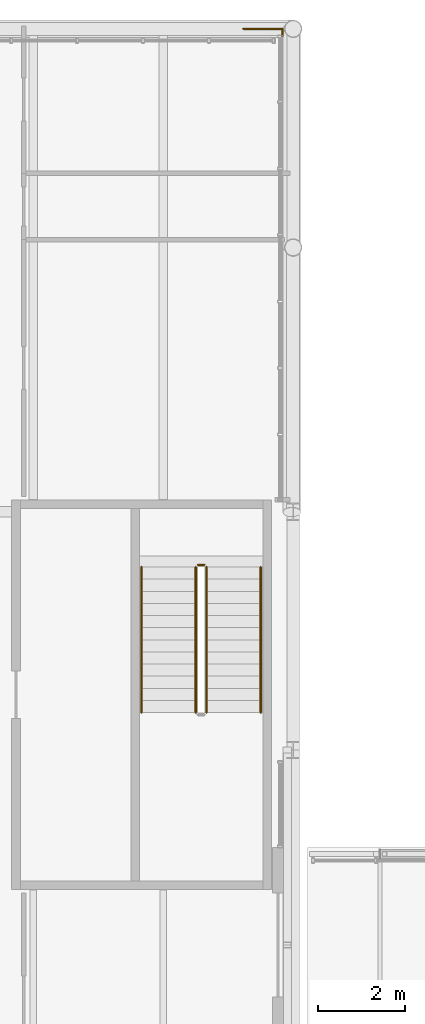
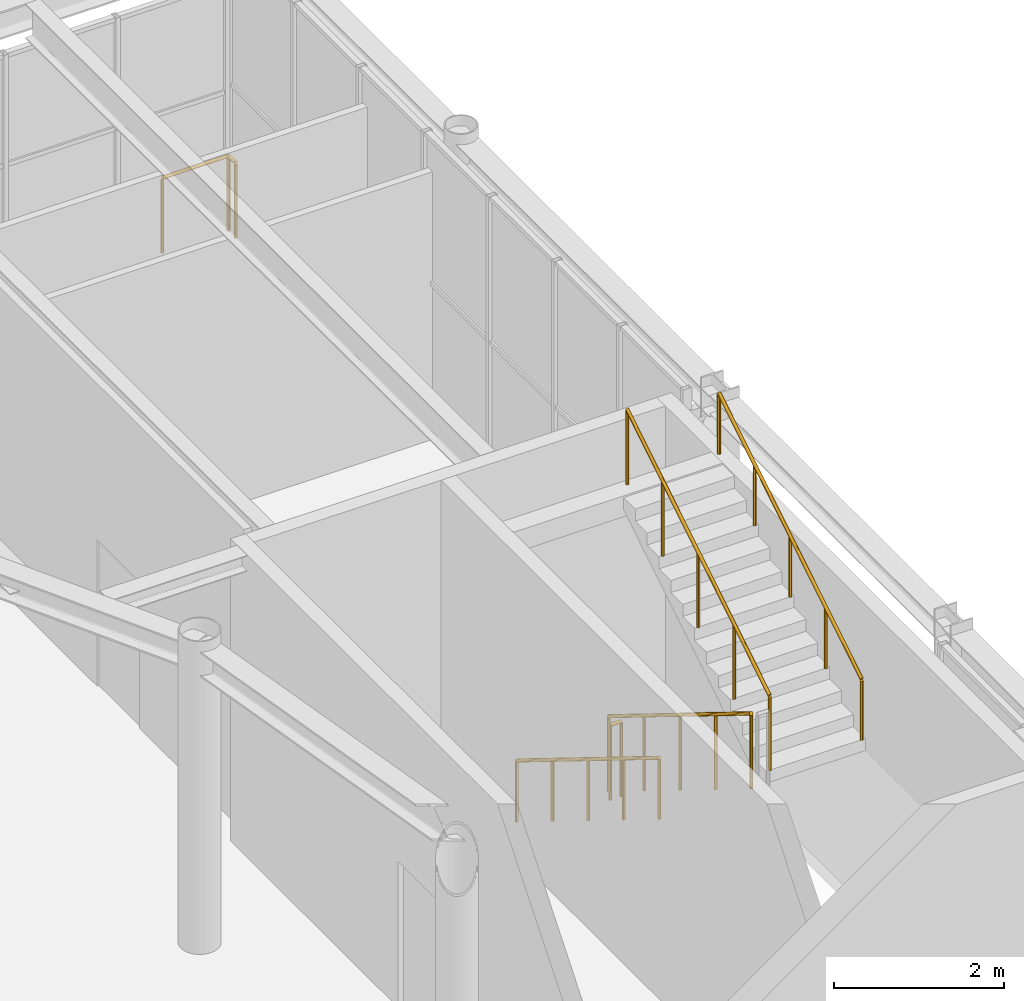
# One storey, part 143 of 149: 6 railings.
"""IFC4 building model written with IfcOpenShell, lengths in metres."""

import ifcopenshell
import ifcopenshell.guid

model = None  # the IFC model being written
_history = None  # IfcOwnerHistory: only IFC2X3 demands one
_inside = {}  # id of a spatial element -> (the spatial element, [elements in it])
_under = {}  # id of a project, library or spatial element -> (it, [spatial elements below it])
_declared = {}  # id of a project -> (the project, [libraries it declares])
_typed = {}  # id of a type object -> (the type object, [elements of that type])
_made_of = {}  # id of a material, layer set ... -> (it, [elements and type objects made of it])


def new_model(schema):
    """Start an empty IFC model of exactly this schema.

    Asked for "IFC4X3", IfcOpenShell would pick the latest addendum, in which some entities
    have other attributes; the version numbers below select the first issue.
    IFC2X3 requires an IfcOwnerHistory on every rooted entity: one is made here for all.
    """
    global model, _history
    if schema == "IFC4X3":
        model = ifcopenshell.file(schema_version=(4, 3, 0, 0))
    else:
        model = ifcopenshell.file(schema=schema)
    _inside.clear()
    _under.clear()
    _declared.clear()
    _typed.clear()
    _made_of.clear()
    _history = None
    if model.schema == "IFC2X3":
        org = make("IfcOrganization", Name="unknown")
        user = make(
            "IfcPersonAndOrganization",
            ThePerson=make("IfcPerson", FamilyName="unknown"),
            TheOrganization=org,
        )
        app = make(
            "IfcApplication",
            ApplicationDeveloper=org,
            Version="unknown",
            ApplicationFullName="unknown",
            ApplicationIdentifier="unknown",
        )
        _history = make(
            "IfcOwnerHistory",
            OwningUser=user,
            OwningApplication=app,
            ChangeAction="ADDED",
            CreationDate=0,
        )
    return model


def make(cls, **values):
    """One entity of the class cls with the attributes given. An attribute that is None is left unset."""
    return model.create_entity(
        cls, **{name: value for name, value in values.items() if value is not None}
    )


def rooted(cls, **values):
    """An entity with a GlobalId (a new one), such as an element, a storey or a relation."""
    return make(cls, GlobalId=ifcopenshell.guid.new(), OwnerHistory=_history, **values)


def si_unit(unit_type, name, prefix=None):
    """IfcSIUnit, for example si_unit("LENGTHUNIT", "METRE", prefix="MILLI")."""
    return make("IfcSIUnit", UnitType=unit_type, Prefix=prefix, Name=name)


def assignment(units):
    """IfcUnitAssignment: the units of a project."""
    return None if units is None else make("IfcUnitAssignment", Units=units)


def point(xyz):
    """IfcCartesianPoint."""
    return None if xyz is None else make("IfcCartesianPoint", Coordinates=xyz)


def direction(xyz):
    """IfcDirection."""
    return None if xyz is None else make("IfcDirection", DirectionRatios=xyz)


def frame(location, z_axis=None, x_axis=None):
    """IfcAxis2Placement3D, a coordinate frame: its origin and axes. An axis left out is left unset."""
    return make(
        "IfcAxis2Placement3D",
        Location=point(location),
        Axis=direction(z_axis),
        RefDirection=direction(x_axis),
    )


def frame_2d(location, x_axis=None):
    """IfcAxis2Placement2D, a coordinate frame in the plane: its origin and x axis."""
    return make(
        "IfcAxis2Placement2D", Location=point(location), RefDirection=direction(x_axis)
    )


def origin():
    """The frame at (0, 0, 0) with its axes left unset."""
    return frame((0.0, 0.0, 0.0))


def origin_2d():
    """The frame at (0, 0) in the plane with its x axis left unset."""
    return frame_2d((0.0, 0.0))


def place(relative_to, where):
    """IfcLocalPlacement: puts the frame where relative to a parent placement (None: the world)."""
    return make(
        "IfcLocalPlacement", PlacementRelTo=relative_to, RelativePlacement=where
    )


def context(
    kind, dimensions, precision=None, world=None, true_north=None, identifier=None
):
    """IfcGeometricRepresentationContext, for example the 3D "Model" context."""
    return make(
        "IfcGeometricRepresentationContext",
        ContextIdentifier=identifier,
        ContextType=kind,
        CoordinateSpaceDimension=dimensions,
        Precision=precision,
        WorldCoordinateSystem=world,
        TrueNorth=true_north,
    )


def subcontext(parent, identifier, kind, view, scale=None):
    """IfcGeometricRepresentationSubContext, for example "Body" below "Model"."""
    return make(
        "IfcGeometricRepresentationSubContext",
        ContextIdentifier=identifier,
        ContextType=kind,
        ParentContext=parent,
        TargetScale=scale,
        TargetView=view,
    )


def project(units=None, contexts=None):
    """IfcProject with its units and contexts."""
    return rooted(
        "IfcProject",
        Name="project",
        RepresentationContexts=contexts,
        UnitsInContext=assignment(units),
    )


def spatial(cls, under=None, at=None, **own):
    """A site, building, storey or space (cls), placed at a placement, below another one or the project."""
    s = rooted(cls, ObjectPlacement=at, **own)
    if under is not None:
        _under.setdefault(under.id(), (under, []))[1].append(s)
    return s


def profile(cls, at=None, kind="AREA", **sizes):
    """A parametric profile (cls). Its sizes go by their IFC names, for example OverallWidth=200.0."""
    return make(cls, ProfileType=kind, Position=at, **sizes)


def circle(**sizes):
    """IfcCircleProfileDef."""
    return profile("IfcCircleProfileDef", **sizes)


def extrude(swept, where, along, depth):
    """IfcExtrudedAreaSolid: the profile swept, set in the frame where, extruded along a direction by depth."""
    return make(
        "IfcExtrudedAreaSolid",
        SweptArea=swept,
        Position=where,
        ExtrudedDirection=direction(along),
        Depth=depth,
    )


def shape(context_of_items, identifier, shape_type, items):
    """IfcShapeRepresentation: the items that make up one representation, for example the "Body"."""
    return make(
        "IfcShapeRepresentation",
        ContextOfItems=context_of_items,
        RepresentationIdentifier=identifier,
        RepresentationType=shape_type,
        Items=items,
    )


def material(Name=None, Category=None):
    """IfcMaterial."""
    return make("IfcMaterial", Name=Name, Category=Category)


def made_of(thing, what):
    """Note that an element or type object is made of a material, layer set ...; save() writes the relation."""
    if what is not None:
        _made_of.setdefault(what.id(), (what, []))[1].append(thing)
    return thing


def type_object(cls, material=None, **own):
    """A type object (cls), such as IfcWallType, which elements share."""
    return made_of(rooted(cls, **own), material)


def element(
    cls,
    number,
    at=None,
    inside=None,
    cuts=None,
    type_object=None,
    material=None,
    context=None,
    identifier="Body",
    shape_type=None,
    held_by="IfcProductDefinitionShape",
    body=None,
    shapes=None,
    **own,
):
    """One element of the class cls, such as IfcWall. Its Tag is "e" and its number.

    at: its placement. inside: the storey or other place that contains it. cuts: it is an
    opening in that element (IfcRelVoidsElement). A single representation is given by context,
    identifier, shape_type and body (its items); several are given by shapes. held_by: the class
    of the entity that holds the representations. save() writes the other relations.
    """
    e = rooted(cls, Tag="e%d" % number, ObjectPlacement=at, **own)
    if body is not None:
        shapes = [shape(context, identifier, shape_type, body)]
    if shapes is not None:
        e.Representation = make(held_by, Representations=shapes)
    if inside is not None:
        _inside.setdefault(inside.id(), (inside, []))[1].append(e)
    if cuts is not None:
        rooted(
            "IfcRelVoidsElement", RelatingBuildingElement=cuts, RelatedOpeningElement=e
        )
    if type_object is not None:
        _typed.setdefault(type_object.id(), (type_object, []))[1].append(e)
    return made_of(e, material)


def aggregate(whole, parts):
    """IfcRelAggregates: a whole, such as a stair, and the parts it consists of."""
    return rooted("IfcRelAggregates", RelatingObject=whole, RelatedObjects=parts)


def save(model, path):
    """Write the relations noted so far, then the file.

    IfcRelAggregates (storeys below a building ...), IfcRelContainedInSpatialStructure (elements
    in a storey), IfcRelDefinesByType, IfcRelAssociatesMaterial and IfcRelDeclares: one each for
    every whole, place, type object, material and project.
    """
    for whole, parts in _under.values():
        aggregate(whole, parts)
    for where, things in _inside.values():
        rooted(
            "IfcRelContainedInSpatialStructure",
            RelatedElements=things,
            RelatingStructure=where,
        )
    for kind, things in _typed.values():
        rooted("IfcRelDefinesByType", RelatedObjects=things, RelatingType=kind)
    for what, things in _made_of.values():
        rooted("IfcRelAssociatesMaterial", RelatedObjects=things, RelatingMaterial=what)
    for by, libraries in _declared.values():
        rooted("IfcRelDeclares", RelatingContext=by, RelatedDefinitions=libraries)
    model.write(path)


model = new_model("IFC4")

# Units and contexts
model_context = context("Model", 3, precision=1e-05, world=origin(), true_north=direction((0.0, 1.0)))
body_context = subcontext(model_context, "Body", "Model", "MODEL_VIEW")
ifc_project = project(units=[si_unit("LENGTHUNIT", "METRE"), si_unit("AREAUNIT", "SQUARE_METRE"), si_unit("VOLUMEUNIT", "CUBIC_METRE"), si_unit("PLANEANGLEUNIT", "RADIAN"), si_unit("MASSUNIT", "GRAM", prefix="KILO")], contexts=[model_context])

# Site, building, storey
site_placement = place(None, origin())
site = spatial("IfcSite", under=ifc_project, at=site_placement, CompositionType="ELEMENT")
building_placement = place(site_placement, origin())
building = spatial("IfcBuilding", under=site, at=building_placement, Name="Kallimachos Central Library", CompositionType="ELEMENT")
storey_placement = place(building_placement, frame((0.0, 0.0, 9.89990234375)))
storey = spatial("IfcBuildingStorey", under=building, at=storey_placement, Name="L02", CompositionType="ELEMENT", Elevation=9.89990234375)

# Railings
ifc_material_1 = material(Name="Wrought iron")
railing_type_1 = type_object("IfcRailingType", Name="Wrought-iron handrail 900", PredefinedType="HANDRAIL", material=ifc_material_1)
railing_1_placement = place(storey_placement, frame((107.0, 109.22509765625, 0.173095703125)))
element("IfcRailing", 1, at=railing_1_placement, inside=storey, type_object=railing_type_1, Name="L02 ST4 stair handrail 1", PredefinedType="HANDRAIL", context=body_context, shape_type="SweptSolid", body=[
    extrude(circle(Radius=0.02392578125, at=origin_2d()), frame((0.0, 0.0, 0.8759765625), z_axis=(0.0, -0.850623216509, 0.525775754039), x_axis=(1.0, 0.0, 0.0)), (0.0, 0.0, 1.0), 3.9501953125),
    extrude(circle(Radius=0.02099609375, at=origin_2d()), origin(), (0.0, 0.0, 1.0), 0.851806640625),
    extrude(circle(Radius=0.02099609375, at=origin_2d()), frame((0.0, -0.840087890625, 0.519287109375)), (0.0, 0.0, 1.0), 0.851806640625),
    extrude(circle(Radius=0.02099609375, at=origin_2d()), frame((0.0, -1.68017578125, 1.03857421875)), (0.0, 0.0, 1.0), 0.851806640625),
    extrude(circle(Radius=0.02099609375, at=origin_2d()), frame((0.0, -2.52001953125, 1.5576171875)), (0.0, 0.0, 1.0), 0.851806640625),
    extrude(circle(Radius=0.02099609375, at=origin_2d()), frame((0.0, -3.360107421875, 2.076904296875)), (0.0, 0.0, 1.0), 0.851806640625),
])
railing_2_placement = place(storey_placement, frame((109.75, 105.864990234375, 2.423095703125)))
element("IfcRailing", 2, at=railing_2_placement, inside=storey, type_object=railing_type_1, Name="L02 ST4 stair handrail 2", PredefinedType="HANDRAIL", context=body_context, shape_type="SweptSolid", body=[
    extrude(circle(Radius=0.02392578125, at=origin_2d()), frame((0.0, 0.0, 0.8759765625), z_axis=(0.0, 0.850623216509, 0.525775754039), x_axis=(-1.0, 0.0, 0.0)), (0.0, 0.0, 1.0), 3.9501953125),
    extrude(circle(Radius=0.02099609375, at=origin_2d()), origin(), (0.0, 0.0, 1.0), 0.851806640625),
    extrude(circle(Radius=0.02099609375, at=origin_2d()), frame((0.0, 0.840087890625, 0.519287109375)), (0.0, 0.0, 1.0), 0.851806640625),
    extrude(circle(Radius=0.02099609375, at=origin_2d()), frame((0.0, 1.68017578125, 1.03857421875)), (0.0, 0.0, 1.0), 0.851806640625),
    extrude(circle(Radius=0.02099609375, at=origin_2d()), frame((0.0, 2.52001953125, 1.5576171875)), (0.0, 0.0, 1.0), 0.851806640625),
    extrude(circle(Radius=0.02099609375, at=origin_2d()), frame((0.0, 3.360107421875, 2.076904296875)), (0.0, 0.0, 1.0), 0.851806640625),
])
ifc_material_2 = material(Name="Wrought iron")
railing_type_2 = type_object("IfcRailingType", Name="Wrought-iron stair guard 1100", PredefinedType="GUARDRAIL", material=ifc_material_2)
railing_3_placement = place(storey_placement, frame((108.25, 109.22509765625, 0.173095703125)))
element("IfcRailing", 3, at=railing_3_placement, inside=storey, type_object=railing_type_2, Name="L02 ST4 stair guard 1", PredefinedType="GUARDRAIL", context=body_context, shape_type="SweptSolid", body=[
    extrude(circle(Radius=0.02392578125, at=origin_2d()), frame((0.0, 0.0, 1.076171875), z_axis=(0.0, -0.850623216509, 0.525775754039), x_axis=(1.0, 0.0, 0.0)), (0.0, 0.0, 1.0), 3.9501953125),
    extrude(circle(Radius=0.02099609375, at=origin_2d()), origin(), (0.0, 0.0, 1.0), 1.052001953125),
    extrude(circle(Radius=0.02099609375, at=origin_2d()), frame((0.0, -0.840087890625, 0.519287109375)), (0.0, 0.0, 1.0), 1.052001953125),
    extrude(circle(Radius=0.02099609375, at=origin_2d()), frame((0.0, -1.68017578125, 1.03857421875)), (0.0, 0.0, 1.0), 1.052001953125),
    extrude(circle(Radius=0.02099609375, at=origin_2d()), frame((0.0, -2.52001953125, 1.5576171875)), (0.0, 0.0, 1.0), 1.052001953125),
    extrude(circle(Radius=0.02099609375, at=origin_2d()), frame((0.0, -3.360107421875, 2.076904296875)), (0.0, 0.0, 1.0), 1.052001953125),
])
railing_4_placement = place(storey_placement, frame((108.5, 105.864990234375, 2.423095703125)))
element("IfcRailing", 4, at=railing_4_placement, inside=storey, type_object=railing_type_2, Name="L02 ST4 stair guard 3", PredefinedType="GUARDRAIL", context=body_context, shape_type="SweptSolid", body=[
    extrude(circle(Radius=0.02392578125, at=origin_2d()), frame((0.0, 0.0, 1.076171875), z_axis=(0.0, 0.850623216509, 0.525775754039), x_axis=(-1.0, 0.0, 0.0)), (0.0, 0.0, 1.0), 3.9501953125),
    extrude(circle(Radius=0.02099609375, at=origin_2d()), origin(), (0.0, 0.0, 1.0), 1.052001953125),
    extrude(circle(Radius=0.02099609375, at=origin_2d()), frame((0.0, 0.840087890625, 0.519287109375)), (0.0, 0.0, 1.0), 1.052001953125),
    extrude(circle(Radius=0.02099609375, at=origin_2d()), frame((0.0, 1.68017578125, 1.03857421875)), (0.0, 0.0, 1.0), 1.052001953125),
    extrude(circle(Radius=0.02099609375, at=origin_2d()), frame((0.0, 2.52001953125, 1.5576171875)), (0.0, 0.0, 1.0), 1.052001953125),
    extrude(circle(Radius=0.02099609375, at=origin_2d()), frame((0.0, 3.360107421875, 2.076904296875)), (0.0, 0.0, 1.0), 1.052001953125),
])
railing_5_placement = place(storey_placement, frame((108.300048828125, 109.27490234375, 0.0)))
element("IfcRailing", 5, at=railing_5_placement, inside=storey, type_object=railing_type_2, Name="L02 ST4 stair guard 4", PredefinedType="GUARDRAIL", context=body_context, shape_type="SweptSolid", body=[
    extrude(circle(Radius=0.02392578125, at=origin_2d()), frame((0.0, 0.0, 1.076171875), z_axis=(1.0, 0.0, 0.0), x_axis=(0.0, 1.0, 0.0)), (0.0, 0.0, 1.0), 0.14990234375),
    extrude(circle(Radius=0.02099609375, at=origin_2d()), origin(), (0.0, 0.0, 1.0), 1.052001953125),
    extrude(circle(Radius=0.02099609375, at=origin_2d()), frame((0.14990234375, 0.0, 0.0)), (0.0, 0.0, 1.0), 1.052001953125),
])
ifc_material_3 = material(Name="Wrought iron")
railing_type_3 = type_object("IfcRailingType", Name="Wrought-iron style guard", PredefinedType="GUARDRAIL", material=ifc_material_3)
railing_6_placement = place(storey_placement, frame((110.25, 121.47998046875, 0.0)))
element("IfcRailing", 6, at=railing_6_placement, inside=storey, type_object=railing_type_3, Name="Corner ledge guard", PredefinedType="GUARDRAIL", context=body_context, shape_type="SweptSolid", body=[
    extrude(circle(Radius=0.02392578125, at=origin_2d()), frame((0.0, 0.0, 1.076171875), z_axis=(0.0, 1.0, 0.0), x_axis=(-1.0, 0.0, 0.0)), (0.0, 0.0, 1.0), 0.169921875),
    extrude(circle(Radius=0.02392578125, at=origin_2d()), frame((0.0, 0.169921875, 1.076171875), z_axis=(-1.0, 0.0, 0.0), x_axis=(0.0, -1.0, 0.0)), (0.0, 0.0, 1.0), 0.89990234375),
    extrude(circle(Radius=0.02099609375, at=origin_2d()), origin(), (0.0, 0.0, 1.0), 1.052001953125),
    extrude(circle(Radius=0.02099609375, at=origin_2d()), frame((0.0, 0.169921875, 0.0)), (0.0, 0.0, 1.0), 1.052001953125),
    extrude(circle(Radius=0.02099609375, at=origin_2d()), frame((-0.89990234375, 0.169921875, 0.0)), (0.0, 0.0, 1.0), 1.052001953125),
])

save(model, "model.ifc")
